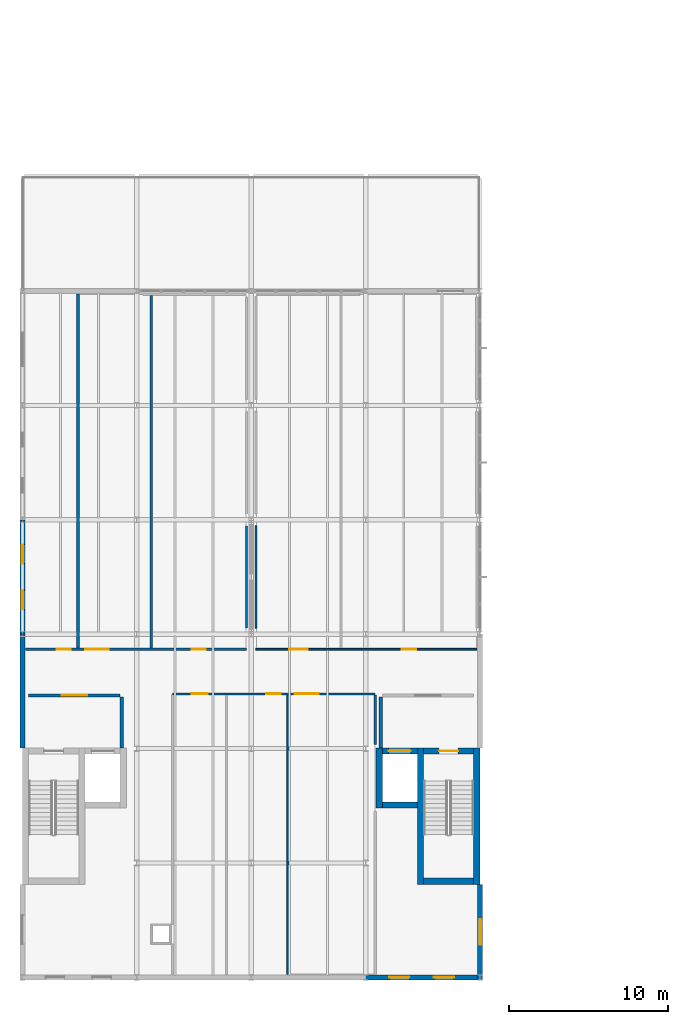
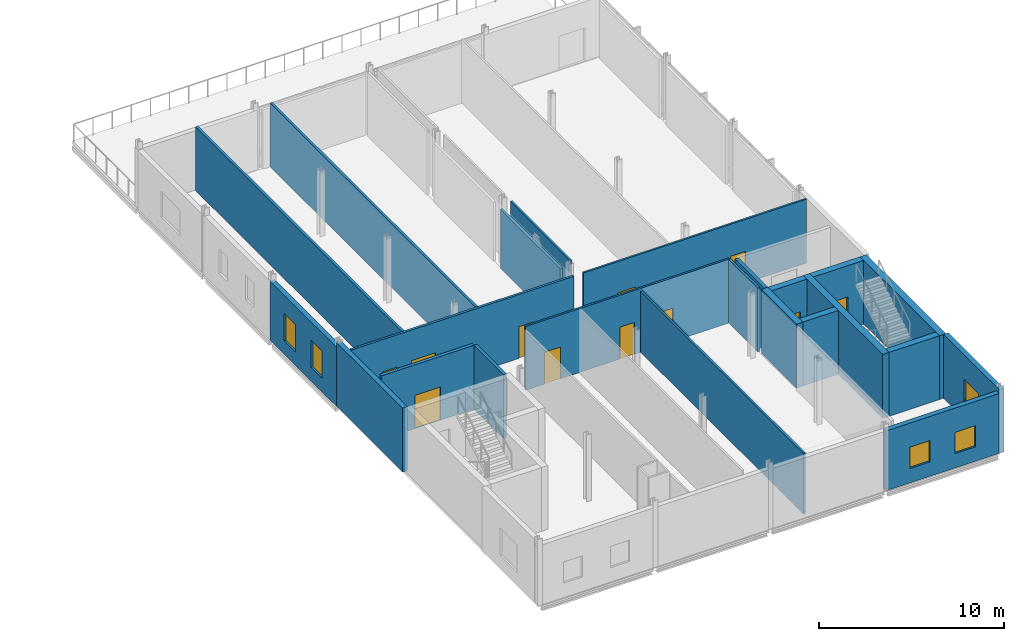
# One storey, part 14 of 21: 23 walls, 11 doors, 5 windows, 16 openings.
"""IFC4 building model written with IfcOpenShell, lengths in metres."""

from ifc_helpers import new_model, si_unit, direction, frame, frame_2d, origin, place, context, subcontext, project, spatial, rectangle, extrude, material, layer, layer_set, type_object, element, fill, save


model = new_model("IFC4")

# Units and contexts
model_context = context("Model", 3, precision=1e-05, world=origin(), true_north=direction((0.0, 1.0)))
body_context = subcontext(model_context, "Body", "Model", "MODEL_VIEW")
ifc_project = project(units=[si_unit("LENGTHUNIT", "METRE"), si_unit("AREAUNIT", "SQUARE_METRE"), si_unit("VOLUMEUNIT", "CUBIC_METRE"), si_unit("PLANEANGLEUNIT", "RADIAN"), si_unit("MASSUNIT", "GRAM", prefix="KILO")], contexts=[model_context])

# Site, building, storey
site_placement = place(None, origin())
site = spatial("IfcSite", under=ifc_project, at=site_placement, CompositionType="ELEMENT")
building_placement = place(site_placement, origin())
building = spatial("IfcBuilding", under=site, at=building_placement, Name="Zarrinpeak Specialist Clinic", CompositionType="ELEMENT")
storey_placement = place(building_placement, frame((0.0, 0.0, 22.800048828125)))
storey = spatial("IfcBuildingStorey", under=building, at=storey_placement, Name="L05", CompositionType="ELEMENT", Elevation=22.800048828125)

# Wall
ifc_material_1 = material(Name="Concrete C40/50", Category="concrete")
ifc_layer_1 = layer(ifc_material_1, 0.39990234375)
ifc_layer_set_1 = layer_set([ifc_layer_1], Name="Concrete C40/50")
wall_type_1 = type_object("IfcWallType", Name="WL-CR400", PredefinedType="SHEAR", material=ifc_layer_set_1)
wall_1_placement = place(storey_placement, frame((25.25, 6.050048828125, 0.0), z_axis=(0.0, 0.0, 1.0), x_axis=(1.0, 0.0, 0.0)))
element("IfcWall", 1, at=wall_1_placement, inside=storey, type_object=wall_type_1, Name="L05 Core C02 Shear Wall STS", PredefinedType="SHEAR", context=body_context, shape_type="SweptSolid", body=[
    extrude(rectangle(XDim=3.14990234375, YDim=0.39990234375, at=frame_2d((1.574951171875, 0.0))), origin(), (0.0, 0.0, 1.0), 4.21484375),
])

# Wall, opening, door
wall_2_placement = place(storey_placement, frame((25.25, 14.25, 0.0), z_axis=(0.0, 0.0, 1.0), x_axis=(1.0, 0.0, 0.0)))
wall_2 = element("IfcWall", 2, at=wall_2_placement, inside=storey, type_object=wall_type_1, Name="L05 Core C02 Shear Wall STN", PredefinedType="SHEAR", context=body_context, shape_type="SweptSolid", body=[
    extrude(rectangle(XDim=3.14990234375, YDim=0.39990234375, at=frame_2d((1.574951171875, 0.0))), origin(), (0.0, 0.0, 1.0), 4.21484375),
])
opening_1_placement = place(wall_2_placement, frame((0.97509765625, 0.0, 0.0)))
opening_1 = element("IfcOpeningElement", 3, at=opening_1_placement, cuts=wall_2, Name="Opening D-S01", PredefinedType="OPENING", context=body_context, shape_type="SweptSolid", body=[
    extrude(rectangle(XDim=1.199951171875, YDim=2.14990234375, at=frame_2d((0.60009765625, 1.074951171875))), frame((0.0, 0.2099609375, 0.0), z_axis=(0.0, -1.0, 0.0), x_axis=(1.0, 0.0, 0.0)), (0.0, 0.0, 1.0), 0.419921875),
])
ifc_material_2 = material(Name="Powder-Coated Galvanised Steel", Category="steel")
door_type_1 = type_object("IfcDoorType", Name="DR-FD120", OperationType="SINGLE_SWING_LEFT", PredefinedType="DOOR", material=ifc_material_2)
door_1_placement = place(opening_1_placement, frame((1.199951171875, 0.0, 0.0), z_axis=(0.0, 0.0, 1.0), x_axis=(-1.0, 0.0, 0.0)))
door_1 = element("IfcDoor", 4, at=door_1_placement, inside=storey, type_object=door_type_1, Name="L05 Protected Stair ST-02 Fire Door", OperationType="SINGLE_SWING_LEFT", OverallHeight=2.14990234375, OverallWidth=1.199951171875, PredefinedType="DOOR", context=body_context, shape_type="SweptSolid", body=[
    extrude(rectangle(XDim=1.199951171875, YDim=2.14990234375, at=frame_2d((0.60009765625, 1.074951171875))), frame((0.0, 0.02490234375, 0.0), z_axis=(0.0, -1.0, 0.0), x_axis=(1.0, 0.0, 0.0)), (0.0, 0.0, 1.0), 0.050048828125),
])
fill(opening_1, door_1)

# Walls
for number, where, z_axis, x_axis, name in (
    (5, (25.050048828125, 5.85009765625, 0.0), (0.0, 0.0, 1.0), (0.0, 1.0, 0.0), "L05 Core C02 Shear Wall STW"),
    (6, (28.60009765625, 5.85009765625, 0.0), (0.0, 0.0, 1.0), (0.0, 1.0, 0.0), "L05 Core C02 Shear Wall STE"),
):
    element("IfcWall", number, at=place(storey_placement, frame(where, z_axis=z_axis, x_axis=x_axis)), inside=storey, type_object=wall_type_1, Name=name, PredefinedType="SHEAR", context=body_context, shape_type="SweptSolid", body=[
        extrude(rectangle(XDim=8.599853515625, YDim=0.39990234375, at=frame_2d((4.2998046875, 0.0))), origin(), (0.0, 0.0, 1.0), 4.21484375),
    ])
wall_3_placement = place(storey_placement, frame((22.64990234375, 10.85009765625, 0.0), z_axis=(0.0, 0.0, 1.0), x_axis=(1.0, 0.0, 0.0)))
element("IfcWall", 7, at=wall_3_placement, inside=storey, type_object=wall_type_1, Name="L05 Lift LF-FF2 Shaft Wall LFS", PredefinedType="SHEAR", context=body_context, shape_type="SweptSolid", body=[
    extrude(rectangle(XDim=2.2001953125, YDim=0.39990234375, at=frame_2d((1.10009765625, 0.0))), origin(), (0.0, 0.0, 1.0), 4.21484375),
])

# Wall, opening, door
wall_4_placement = place(storey_placement, frame((22.64990234375, 14.25, 0.0), z_axis=(0.0, 0.0, 1.0), x_axis=(1.0, 0.0, 0.0)))
wall_4 = element("IfcWall", 8, at=wall_4_placement, inside=storey, type_object=wall_type_1, Name="L05 Lift LF-FF2 Shaft Wall LFN", PredefinedType="SHEAR", context=body_context, shape_type="SweptSolid", body=[
    extrude(rectangle(XDim=2.2001953125, YDim=0.39990234375, at=frame_2d((1.10009765625, 0.0))), origin(), (0.0, 0.0, 1.0), 4.21484375),
])
opening_2_placement = place(wall_4_placement, frame((0.39990234375, 0.0, 0.0)))
opening_2 = element("IfcOpeningElement", 9, at=opening_2_placement, cuts=wall_4, Name="Opening LD-01", PredefinedType="OPENING", context=body_context, shape_type="SweptSolid", body=[
    extrude(rectangle(XDim=1.39990234375, YDim=2.199951171875, at=frame_2d((0.699951171875, 1.10009765625))), frame((0.0, 0.2099609375, 0.0), z_axis=(0.0, -1.0, 0.0), x_axis=(1.0, 0.0, 0.0)), (0.0, 0.0, 1.0), 0.419921875),
])
door_type_2 = type_object("IfcDoorType", Name="DR-LD140", OperationType="SLIDING_TO_LEFT", PredefinedType="DOOR", material=ifc_material_2)
door_2_placement = place(opening_2_placement, origin())
door_2 = element("IfcDoor", 10, at=door_2_placement, inside=storey, type_object=door_type_2, Name="L05 Lift LF-FF2 Sliding Landing Door", OperationType="SLIDING_TO_LEFT", OverallHeight=2.199951171875, OverallWidth=1.39990234375, PredefinedType="DOOR", context=body_context, shape_type="SweptSolid", body=[
    extrude(rectangle(XDim=1.39990234375, YDim=2.199951171875, at=frame_2d((0.699951171875, 1.10009765625))), frame((0.0, 0.02490234375, 0.0), z_axis=(0.0, -1.0, 0.0), x_axis=(1.0, 0.0, 0.0)), (0.0, 0.0, 1.0), 0.050048828125),
])
fill(opening_2, door_2)

# Wall
wall_5_placement = place(storey_placement, frame((22.449951171875, 10.64990234375, 0.0), z_axis=(0.0, 0.0, 1.0), x_axis=(0.0, 1.0, 0.0)))
element("IfcWall", 11, at=wall_5_placement, inside=storey, type_object=wall_type_1, Name="L05 Lift LF-FF2 Shaft Wall LFW", PredefinedType="SHEAR", context=body_context, shape_type="SweptSolid", body=[
    extrude(rectangle(XDim=3.800048828125, YDim=0.39990234375, at=frame_2d((1.89990234375, 0.0))), origin(), (0.0, 0.0, 1.0), 4.21484375),
])

# Wall, openings, windows
ifc_material_3 = material(Name="Precast concrete C40/50", Category="concrete")
ifc_layer_2 = layer(ifc_material_3, 0.300048828125)
ifc_layer_set_2 = layer_set([ifc_layer_2], Name="Precast concrete C40/50")
wall_type_2 = type_object("IfcWallType", Name="WL-EW300", PredefinedType="STANDARD", material=ifc_layer_set_2)
wall_6_placement = place(storey_placement, frame((21.60009765625, 0.0, 0.0), z_axis=(0.0, 0.0, 1.0), x_axis=(1.0, 0.0, 0.0)))
wall_6 = element("IfcWall", 12, at=wall_6_placement, inside=storey, type_object=wall_type_2, Name="L05 V1 Exterior GRC Wall EW-L05-V1-0074", PredefinedType="STANDARD", context=body_context, shape_type="SweptSolid", body=[
    extrude(rectangle(XDim=7.0498046875, YDim=0.300048828125, at=frame_2d((3.52490234375, 0.0))), origin(), (0.0, 0.0, 1.0), 3.949951171875),
])
opening_3_placement = place(wall_6_placement, frame((1.48095703125, 0.0, 0.949951171875)))
opening_3 = element("IfcOpeningElement", 13, at=opening_3_placement, cuts=wall_6, Name="Opening WS-65", PredefinedType="OPENING", context=body_context, shape_type="SweptSolid", body=[
    extrude(rectangle(XDim=1.26806640625, YDim=1.404052734375, at=frame_2d((0.634033203125, 0.7021484375))), frame((0.0, 0.16015625, 0.0), z_axis=(0.0, -1.0, 0.0), x_axis=(1.0, 0.0, 0.0)), (0.0, 0.0, 1.0), 0.320068359375),
])
opening_4_placement = place(wall_6_placement, frame((4.301025390625, 0.0, 0.949951171875)))
opening_4 = element("IfcOpeningElement", 14, at=opening_4_placement, cuts=wall_6, Name="Opening WS-65", PredefinedType="OPENING", context=body_context, shape_type="SweptSolid", body=[
    extrude(rectangle(XDim=1.26806640625, YDim=1.404052734375, at=frame_2d((0.634033203125, 0.7021484375))), frame((0.0, 0.16015625, 0.0), z_axis=(0.0, -1.0, 0.0), x_axis=(1.0, 0.0, 0.0)), (0.0, 0.0, 1.0), 0.320068359375),
])
ifc_material_4 = material(Name="Thermally Broken Aluminium and Low-E Glazing", Category="aluminium")
window_type_1 = type_object("IfcWindowType", Name="WN-SP65", PartitioningType="SINGLE_PANEL", PredefinedType="WINDOW", material=ifc_material_4)
window_1_placement = place(opening_3_placement, origin())
window_1 = element("IfcWindow", 15, at=window_1_placement, inside=storey, type_object=window_type_1, Name="L05 Modular Facade Window WN-L05-0112", OverallHeight=1.404052734375, OverallWidth=1.26806640625, PartitioningType="SINGLE_PANEL", PredefinedType="WINDOW", context=body_context, shape_type="SweptSolid", body=[
    extrude(rectangle(XDim=1.26806640625, YDim=1.404052734375, at=frame_2d((0.634033203125, 0.7021484375))), frame((0.0, 0.030029296875, 0.0), z_axis=(0.0, -1.0, 0.0), x_axis=(1.0, 0.0, 0.0)), (0.0, 0.0, 1.0), 0.06005859375),
])
fill(opening_3, window_1)
window_2_placement = place(opening_4_placement, origin())
window_2 = element("IfcWindow", 16, at=window_2_placement, inside=storey, type_object=window_type_1, Name="L05 Modular Facade Window WN-L05-0113", OverallHeight=1.404052734375, OverallWidth=1.26806640625, PartitioningType="SINGLE_PANEL", PredefinedType="WINDOW", context=body_context, shape_type="SweptSolid", body=[
    extrude(rectangle(XDim=1.26806640625, YDim=1.404052734375, at=frame_2d((0.634033203125, 0.7021484375))), frame((0.0, 0.030029296875, 0.0), z_axis=(0.0, -1.0, 0.0), x_axis=(1.0, 0.0, 0.0)), (0.0, 0.0, 1.0), 0.06005859375),
])
fill(opening_4, window_2)

# Wall
wall_7_placement = place(storey_placement, frame((0.0, 21.60009765625, 0.0), z_axis=(0.0, 0.0, 1.0), x_axis=(0.0, -1.0, 0.0)))
element("IfcWall", 17, at=wall_7_placement, inside=storey, type_object=wall_type_2, Name="L05 V1 Exterior GRC Wall EW-L05-V1-0078", PredefinedType="STANDARD", context=body_context, shape_type="SweptSolid", body=[
    extrude(rectangle(XDim=7.150146484375, YDim=0.300048828125, at=frame_2d((3.5751953125, 0.0))), origin(), (0.0, 0.0, 1.0), 4.21484375),
])

# Wall, openings, windows
wall_8_placement = place(storey_placement, frame((0.0, 28.800048828125, 0.0), z_axis=(0.0, 0.0, 1.0), x_axis=(0.0, -1.0, 0.0)))
wall_8 = element("IfcWall", 18, at=wall_8_placement, inside=storey, type_object=wall_type_2, Name="L05 V1 Exterior GRC Wall EW-L05-V1-0079", PredefinedType="STANDARD", context=body_context, shape_type="SweptSolid", body=[
    extrude(rectangle(XDim=7.199951171875, YDim=0.300048828125, at=frame_2d((3.60009765625, 0.0))), origin(), (0.0, 0.0, 1.0), 3.89990234375),
])
opening_5_placement = place(wall_8_placement, frame((1.56005859375, 0.0, 0.89990234375)))
opening_5 = element("IfcOpeningElement", 19, at=opening_5_placement, cuts=wall_8, Name="Opening W-03", PredefinedType="OPENING", context=body_context, shape_type="SweptSolid", body=[
    extrude(rectangle(XDim=1.199951171875, YDim=1.800048828125, at=frame_2d((0.60009765625, 0.89990234375))), frame((0.0, 0.16015625, 0.0), z_axis=(0.0, -1.0, 0.0), x_axis=(1.0, 0.0, 0.0)), (0.0, 0.0, 1.0), 0.320068359375),
])
opening_6_placement = place(wall_8_placement, frame((4.43994140625, 0.0, 0.89990234375)))
opening_6 = element("IfcOpeningElement", 20, at=opening_6_placement, cuts=wall_8, Name="Opening W-03", PredefinedType="OPENING", context=body_context, shape_type="SweptSolid", body=[
    extrude(rectangle(XDim=1.199951171875, YDim=1.800048828125, at=frame_2d((0.60009765625, 0.89990234375))), frame((0.0, 0.16015625, 0.0), z_axis=(0.0, -1.0, 0.0), x_axis=(1.0, 0.0, 0.0)), (0.0, 0.0, 1.0), 0.320068359375),
])
window_type_2 = type_object("IfcWindowType", Name="WN-CL120", PartitioningType="SINGLE_PANEL", PredefinedType="WINDOW", material=ifc_material_4)
window_3_placement = place(opening_5_placement, origin())
window_3 = element("IfcWindow", 21, at=window_3_placement, inside=storey, type_object=window_type_2, Name="L05 Modular Facade Window WN-L05-0115", OverallHeight=1.800048828125, OverallWidth=1.199951171875, PartitioningType="SINGLE_PANEL", PredefinedType="WINDOW", context=body_context, shape_type="SweptSolid", body=[
    extrude(rectangle(XDim=1.199951171875, YDim=1.800048828125, at=frame_2d((0.60009765625, 0.89990234375))), frame((0.0, 0.030029296875, 0.0), z_axis=(0.0, -1.0, 0.0), x_axis=(1.0, 0.0, 0.0)), (0.0, 0.0, 1.0), 0.06005859375),
])
fill(opening_5, window_3)
window_4_placement = place(opening_6_placement, origin())
window_4 = element("IfcWindow", 22, at=window_4_placement, inside=storey, type_object=window_type_2, Name="L05 Modular Facade Window WN-L05-0116", OverallHeight=1.800048828125, OverallWidth=1.199951171875, PartitioningType="SINGLE_PANEL", PredefinedType="WINDOW", context=body_context, shape_type="SweptSolid", body=[
    extrude(rectangle(XDim=1.199951171875, YDim=1.800048828125, at=frame_2d((0.60009765625, 0.89990234375))), frame((0.0, 0.030029296875, 0.0), z_axis=(0.0, -1.0, 0.0), x_axis=(1.0, 0.0, 0.0)), (0.0, 0.0, 1.0), 0.06005859375),
])
fill(opening_6, window_4)

# Wall, opening, window
wall_9_placement = place(storey_placement, frame((28.800048828125, -0.14990234375, 0.0), z_axis=(0.0, 0.0, 1.0), x_axis=(0.0, 1.0, 0.0)))
wall_9 = element("IfcWall", 23, at=wall_9_placement, inside=storey, type_object=wall_type_2, Name="L05 V1 Exterior GRC Wall EW-L05-V1-0082", PredefinedType="STANDARD", context=body_context, shape_type="SweptSolid", body=[
    extrude(rectangle(XDim=6.0, YDim=0.300048828125, at=frame_2d((3.0, 0.0))), origin(), (0.0, 0.0, 1.0), 4.21484375),
])
opening_7_placement = place(wall_9_placement, frame((2.199951171875, 0.0, 1.199951171875)))
opening_7 = element("IfcOpeningElement", 24, at=opening_7_placement, cuts=wall_9, Name="Opening W-10", PredefinedType="OPENING", context=body_context, shape_type="SweptSolid", body=[
    extrude(rectangle(XDim=1.60009765625, YDim=1.39990234375, at=frame_2d((0.800048828125, 0.699951171875))), frame((0.0, 0.16015625, 0.0), z_axis=(0.0, -1.0, 0.0), x_axis=(1.0, 0.0, 0.0)), (0.0, 0.0, 1.0), 0.320068359375),
])
window_type_3 = type_object("IfcWindowType", Name="WN-NRS160", PartitioningType="SINGLE_PANEL", PredefinedType="WINDOW", material=ifc_material_4)
window_5_placement = place(opening_7_placement, origin())
window_5 = element("IfcWindow", 25, at=window_5_placement, inside=storey, type_object=window_type_3, Name="L05 Modular Facade Window WN-L05-0120", OverallHeight=1.39990234375, OverallWidth=1.60009765625, PartitioningType="SINGLE_PANEL", PredefinedType="WINDOW", context=body_context, shape_type="SweptSolid", body=[
    extrude(rectangle(XDim=1.60009765625, YDim=1.39990234375, at=frame_2d((0.800048828125, 0.699951171875))), frame((0.0, 0.030029296875, 0.0), z_axis=(0.0, -1.0, 0.0), x_axis=(1.0, 0.0, 0.0)), (0.0, 0.0, 1.0), 0.06005859375),
])
fill(opening_7, window_5)

# Wall, openings, doors
ifc_material_5 = material(Name="Cleanroom Flush Phenolic Partition", Category="gypsum")
ifc_layer_3 = layer(ifc_material_5, 0.117919921875)
ifc_layer_set_3 = layer_set([ifc_layer_3], Name="Cleanroom Flush Phenolic Partition")
wall_type_3 = type_object("IfcWallType", Name="WL-IW118", PredefinedType="PARTITIONING", material=ifc_layer_set_3)
wall_10_placement = place(storey_placement, frame((14.699951171875, 20.64990234375, 0.0), z_axis=(0.0, 0.0, 1.0), x_axis=(1.0, 0.0, 0.0)))
wall_10 = element("IfcWall", 26, at=wall_10_placement, inside=storey, type_object=wall_type_3, Name="L05 Allergy Immunology Patch Lab Partition", PredefinedType="PARTITIONING", context=body_context, shape_type="SweptSolid", body=[
    extrude(rectangle(XDim=13.900146484375, YDim=0.117919921875, at=frame_2d((6.9501953125, 0.0))), origin(), (0.0, 0.0, 1.0), 4.21484375),
])
opening_8_placement = place(wall_10_placement, frame((2.10009765625, 0.0, 0.0)))
opening_8 = element("IfcOpeningElement", 27, at=opening_8_placement, cuts=wall_10, Name="Opening D-LB1", PredefinedType="OPENING", context=body_context, shape_type="SweptSolid", body=[
    extrude(rectangle(XDim=1.14990234375, YDim=2.14990234375, at=frame_2d((0.574951171875, 1.074951171875))), frame((0.0, 0.06884765625, 0.0), z_axis=(0.0, -1.0, 0.0), x_axis=(1.0, 0.0, 0.0)), (0.0, 0.0, 1.0), 0.137939453125),
])
opening_9_placement = place(wall_10_placement, frame((9.158935546875, 0.0, 0.0)))
opening_9 = element("IfcOpeningElement", 28, at=opening_9_placement, cuts=wall_10, Name="Opening DS-29", PredefinedType="OPENING", context=body_context, shape_type="SweptSolid", body=[
    extrude(rectangle(XDim=0.931884765625, YDim=2.095947265625, at=frame_2d((0.4658203125, 1.0478515625))), frame((0.0, 0.06884765625, 0.0), z_axis=(0.0, -1.0, 0.0), x_axis=(1.0, 0.0, 0.0)), (0.0, 0.0, 1.0), 0.137939453125),
])
door_type_3 = type_object("IfcDoorType", Name="DR-LAB115", OperationType="SINGLE_SWING_LEFT", PredefinedType="DOOR", material=ifc_material_2)
door_3_placement = place(opening_8_placement, frame((1.14990234375, 0.0, 0.0), z_axis=(0.0, 0.0, 1.0), x_axis=(-1.0, 0.0, 0.0)))
door_3 = element("IfcDoor", 29, at=door_3_placement, inside=storey, type_object=door_type_3, Name="L05 Allergy Immunology Patch Lab Door", OperationType="SINGLE_SWING_LEFT", OverallHeight=2.14990234375, OverallWidth=1.14990234375, PredefinedType="DOOR", context=body_context, shape_type="SweptSolid", body=[
    extrude(rectangle(XDim=1.14990234375, YDim=2.14990234375, at=frame_2d((0.574951171875, 1.074951171875))), frame((0.0, 0.02490234375, 0.0), z_axis=(0.0, -1.0, 0.0), x_axis=(1.0, 0.0, 0.0)), (0.0, 0.0, 1.0), 0.050048828125),
])
fill(opening_8, door_3)
door_type_4 = type_object("IfcDoorType", Name="DR-SP29", OperationType="SINGLE_SWING_RIGHT", PredefinedType="DOOR", material=ifc_material_2)
door_4_placement = place(opening_9_placement, frame((0.931884765625, 0.0, 0.0), z_axis=(0.0, 0.0, 1.0), x_axis=(-1.0, 0.0, 0.0)))
door_4 = element("IfcDoor", 30, at=door_4_placement, inside=storey, type_object=door_type_4, Name="L05 Specialist Consultation Room 2 Door", OperationType="SINGLE_SWING_RIGHT", OverallHeight=2.095947265625, OverallWidth=0.931884765625, PredefinedType="DOOR", context=body_context, shape_type="SweptSolid", body=[
    extrude(rectangle(XDim=0.931884765625, YDim=2.095947265625, at=frame_2d((0.4658203125, 1.0478515625))), frame((0.0, 0.02490234375, 0.0), z_axis=(0.0, -1.0, 0.0), x_axis=(1.0, 0.0, 0.0)), (0.0, 0.0, 1.0), 0.050048828125),
])
fill(opening_9, door_4)

# Wall
wall_11_placement = place(storey_placement, frame((14.699951171875, 21.97998046875, 0.0), z_axis=(0.0, 0.0, 1.0), x_axis=(0.0, 1.0, 0.0)))
element("IfcWall", 31, at=wall_11_placement, inside=storey, type_object=wall_type_3, Name="L05 Allergy Immunology Patch Lab Dividing Partition", PredefinedType="PARTITIONING", context=body_context, shape_type="SweptSolid", body=[
    extrude(rectangle(XDim=6.43994140625, YDim=0.117919921875, at=frame_2d((3.219970703125, 0.0))), origin(), (0.0, 0.0, 1.0), 4.21484375),
])

# Wall, openings, doors
ifc_material_6 = material(Name="Moisture-Resistant Wet-Room Partition", Category="gypsum")
ifc_layer_4 = layer(ifc_material_6, 0.125)
ifc_layer_set_4 = layer_set([ifc_layer_4], Name="Moisture-Resistant Wet-Room Partition")
wall_type_4 = type_object("IfcWallType", Name="WL-IW125W", PredefinedType="PARTITIONING", material=ifc_layer_set_4)
wall_12_placement = place(storey_placement, frame((9.449951171875, 17.85009765625, 0.0), z_axis=(0.0, 0.0, 1.0), x_axis=(1.0, 0.0, 0.0)))
wall_12 = element("IfcWall", 32, at=wall_12_placement, inside=storey, type_object=wall_type_4, Name="L05 Accessible Patient WC Partition", PredefinedType="PARTITIONING", context=body_context, shape_type="SweptSolid", body=[
    extrude(rectangle(XDim=12.75, YDim=0.125, at=frame_2d((6.375, 0.0))), origin(), (0.0, 0.0, 1.0), 4.21484375),
])
opening_10_placement = place(wall_12_placement, frame((1.199951171875, 0.0, 0.0)))
opening_10 = element("IfcOpeningElement", 33, at=opening_10_placement, cuts=wall_12, Name="Opening D-W02", PredefinedType="OPENING", context=body_context, shape_type="SweptSolid", body=[
    extrude(rectangle(XDim=1.0, YDim=2.10009765625, at=frame_2d((0.5, 1.050048828125))), frame((0.0, 0.072509765625, 0.0), z_axis=(0.0, -1.0, 0.0), x_axis=(1.0, 0.0, 0.0)), (0.0, 0.0, 1.0), 0.14501953125),
])
opening_11_placement = place(wall_12_placement, frame((5.89990234375, 0.0, 0.0)))
opening_11 = element("IfcOpeningElement", 34, at=opening_11_placement, cuts=wall_12, Name="Opening D-W01", PredefinedType="OPENING", context=body_context, shape_type="SweptSolid", body=[
    extrude(rectangle(XDim=0.89990234375, YDim=2.10009765625, at=frame_2d((0.449951171875, 1.050048828125))), frame((0.0, 0.072509765625, 0.0), z_axis=(0.0, -1.0, 0.0), x_axis=(1.0, 0.0, 0.0)), (0.0, 0.0, 1.0), 0.14501953125),
])
opening_12_placement = place(wall_12_placement, frame((7.699951171875, 0.0, 0.0)))
opening_12 = element("IfcOpeningElement", 35, at=opening_12_placement, cuts=wall_12, Name="Opening D-B01", PredefinedType="OPENING", context=body_context, shape_type="SweptSolid", body=[
    extrude(rectangle(XDim=1.5, YDim=2.199951171875, at=frame_2d((0.75, 1.10009765625))), frame((0.0, 0.072509765625, 0.0), z_axis=(0.0, -1.0, 0.0), x_axis=(1.0, 0.0, 0.0)), (0.0, 0.0, 1.0), 0.14501953125),
])
door_type_5 = type_object("IfcDoorType", Name="DR-AWC100", OperationType="SLIDING_TO_LEFT", PredefinedType="DOOR", material=ifc_material_2)
door_5_placement = place(opening_10_placement, origin())
door_5 = element("IfcDoor", 36, at=door_5_placement, inside=storey, type_object=door_type_5, Name="L05 Accessible Patient WC Door", OperationType="SLIDING_TO_LEFT", OverallHeight=2.10009765625, OverallWidth=1.0, PredefinedType="DOOR", context=body_context, shape_type="SweptSolid", body=[
    extrude(rectangle(XDim=1.0, YDim=2.10009765625, at=frame_2d((0.5, 1.050048828125))), frame((0.0, 0.02490234375, 0.0), z_axis=(0.0, -1.0, 0.0), x_axis=(1.0, 0.0, 0.0)), (0.0, 0.0, 1.0), 0.050048828125),
])
fill(opening_10, door_5)
door_type_6 = type_object("IfcDoorType", Name="DR-BED150", OperationType="DOUBLE_DOOR_SINGLE_SWING", PredefinedType="DOOR", material=ifc_material_2)
door_6_placement = place(opening_12_placement, origin())
door_6 = element("IfcDoor", 37, at=door_6_placement, inside=storey, type_object=door_type_6, Name="L05 Dermatology Phototherapy Room Door", OperationType="DOUBLE_DOOR_SINGLE_SWING", OverallHeight=2.199951171875, OverallWidth=1.5, PredefinedType="DOOR", context=body_context, shape_type="SweptSolid", body=[
    extrude(rectangle(XDim=1.5, YDim=2.199951171875, at=frame_2d((0.75, 1.10009765625))), frame((0.0, 0.02490234375, 0.0), z_axis=(0.0, -1.0, 0.0), x_axis=(1.0, 0.0, 0.0)), (0.0, 0.0, 1.0), 0.050048828125),
])
fill(opening_12, door_6)
door_type_7 = type_object("IfcDoorType", Name="DR-WC90", OperationType="SINGLE_SWING_RIGHT", PredefinedType="DOOR", material=ifc_material_2)
door_7_placement = place(opening_11_placement, origin())
door_7 = element("IfcDoor", 38, at=door_7_placement, inside=storey, type_object=door_type_7, Name="L05 Visitor WC Door", OperationType="SINGLE_SWING_RIGHT", OverallHeight=2.10009765625, OverallWidth=0.89990234375, PredefinedType="DOOR", context=body_context, shape_type="SweptSolid", body=[
    extrude(rectangle(XDim=0.89990234375, YDim=2.10009765625, at=frame_2d((0.449951171875, 1.050048828125))), frame((0.0, 0.02490234375, 0.0), z_axis=(0.0, -1.0, 0.0), x_axis=(1.0, 0.0, 0.0)), (0.0, 0.0, 1.0), 0.050048828125),
])
fill(opening_11, door_7)

# Walls
wall_13_placement = place(storey_placement, frame((16.699951171875, 0.199951171875, 0.0), z_axis=(0.0, 0.0, 1.0), x_axis=(0.0, 1.0, 0.0)))
element("IfcWall", 39, at=wall_13_placement, inside=storey, type_object=wall_type_4, Name="L05 Visitor WC Dividing Partition", PredefinedType="PARTITIONING", context=body_context, shape_type="SweptSolid", body=[
    extrude(rectangle(XDim=17.587646484375, YDim=0.125, at=frame_2d((8.7939453125, 0.0))), origin(), (0.0, 0.0, 1.0), 4.0),
])
ifc_material_7 = material(Name="Acoustic Consultation Stud Partition", Category="gypsum")
ifc_layer_5 = layer(ifc_material_7, 0.14208984375)
ifc_layer_set_5 = layer_set([ifc_layer_5], Name="Acoustic Consultation Stud Partition")
wall_type_5 = type_object("IfcWallType", Name="WL-IW142", PredefinedType="PARTITIONING", material=ifc_layer_set_5)
wall_14_placement = place(storey_placement, frame((22.199951171875, 14.64990234375, 0.0), z_axis=(0.0, 0.0, 1.0), x_axis=(0.0, 1.0, 0.0)))
element("IfcWall", 40, at=wall_14_placement, inside=storey, type_object=wall_type_5, Name="L05 Dermatology Phototherapy Room Dividing Partition", PredefinedType="PARTITIONING", context=body_context, shape_type="SweptSolid", body=[
    extrude(rectangle(XDim=3.1376953125, YDim=0.14208984375, at=frame_2d((1.56884765625, 0.0))), origin(), (0.0, 0.0, 1.0), 4.21484375),
])

# Wall, openings, doors
ifc_material_8 = material(Name="Insulated Clinical Gypsum Stud Partition", Category="gypsum")
ifc_layer_6 = layer(ifc_material_8, 0.14990234375)
ifc_layer_set_6 = layer_set([ifc_layer_6], Name="Insulated Clinical Gypsum Stud Partition")
wall_type_6 = type_object("IfcWallType", Name="WL-IW150", PredefinedType="PARTITIONING", material=ifc_layer_set_6)
wall_15_placement = place(storey_placement, frame((0.199951171875, 20.64990234375, 0.0), z_axis=(0.0, 0.0, 1.0), x_axis=(1.0, 0.0, 0.0)))
wall_15 = element("IfcWall", 41, at=wall_15_placement, inside=storey, type_object=wall_type_6, Name="L05 Specialist Telemedicine Hub Partition", PredefinedType="PARTITIONING", context=body_context, shape_type="SweptSolid", body=[
    extrude(rectangle(XDim=13.900146484375, YDim=0.14990234375, at=frame_2d((6.9501953125, 0.0))), origin(), (0.0, 0.0, 1.0), 4.21484375),
])
opening_13_placement = place(wall_15_placement, frame((1.969970703125, 0.0, 0.0)))
opening_13 = element("IfcOpeningElement", 42, at=opening_13_placement, cuts=wall_15, Name="Opening DS-27", PredefinedType="OPENING", context=body_context, shape_type="SweptSolid", body=[
    extrude(rectangle(XDim=0.8798828125, YDim=2.095947265625, at=frame_2d((0.43994140625, 1.0478515625))), frame((0.0, 0.0849609375, 0.0), z_axis=(0.0, -1.0, 0.0), x_axis=(1.0, 0.0, 0.0)), (0.0, 0.0, 1.0), 0.169921875),
])
opening_14_placement = place(wall_15_placement, frame((3.75, 0.0, 0.0)))
opening_14 = element("IfcOpeningElement", 43, at=opening_14_placement, cuts=wall_15, Name="Opening D-B01", PredefinedType="OPENING", context=body_context, shape_type="SweptSolid", body=[
    extrude(rectangle(XDim=1.5, YDim=2.199951171875, at=frame_2d((0.75, 1.10009765625))), frame((0.0, 0.0849609375, 0.0), z_axis=(0.0, -1.0, 0.0), x_axis=(1.0, 0.0, 0.0)), (0.0, 0.0, 1.0), 0.169921875),
])
opening_15_placement = place(wall_15_placement, frame((10.447021484375, 0.0, 0.0)))
opening_15 = element("IfcOpeningElement", 44, at=opening_15_placement, cuts=wall_15, Name="Opening DS-28", PredefinedType="OPENING", context=body_context, shape_type="SweptSolid", body=[
    extrude(rectangle(XDim=0.906005859375, YDim=2.095947265625, at=frame_2d((0.453125, 1.0478515625))), frame((0.0, 0.0849609375, 0.0), z_axis=(0.0, -1.0, 0.0), x_axis=(1.0, 0.0, 0.0)), (0.0, 0.0, 1.0), 0.169921875),
])
door_8_placement = place(opening_14_placement, frame((1.5, 0.0, 0.0), z_axis=(0.0, 0.0, 1.0), x_axis=(-1.0, 0.0, 0.0)))
door_8 = element("IfcDoor", 45, at=door_8_placement, inside=storey, type_object=door_type_6, Name="L05 Minor Dermatosurgery Suite Door", OperationType="DOUBLE_DOOR_SINGLE_SWING", OverallHeight=2.199951171875, OverallWidth=1.5, PredefinedType="DOOR", context=body_context, shape_type="SweptSolid", body=[
    extrude(rectangle(XDim=1.5, YDim=2.199951171875, at=frame_2d((0.75, 1.10009765625))), frame((0.0, 0.02490234375, 0.0), z_axis=(0.0, -1.0, 0.0), x_axis=(1.0, 0.0, 0.0)), (0.0, 0.0, 1.0), 0.050048828125),
])
fill(opening_14, door_8)
door_type_8 = type_object("IfcDoorType", Name="DR-SP27", OperationType="SINGLE_SWING_RIGHT", PredefinedType="DOOR", material=ifc_material_2)
door_9_placement = place(opening_13_placement, frame((0.8798828125, 0.0, 0.0), z_axis=(0.0, 0.0, 1.0), x_axis=(-1.0, 0.0, 0.0)))
door_9 = element("IfcDoor", 46, at=door_9_placement, inside=storey, type_object=door_type_8, Name="L05 Specialist Telemedicine Hub Door", OperationType="SINGLE_SWING_RIGHT", OverallHeight=2.095947265625, OverallWidth=0.8798828125, PredefinedType="DOOR", context=body_context, shape_type="SweptSolid", body=[
    extrude(rectangle(XDim=0.8798828125, YDim=2.095947265625, at=frame_2d((0.43994140625, 1.0478515625))), frame((0.0, 0.02490234375, 0.0), z_axis=(0.0, -1.0, 0.0), x_axis=(1.0, 0.0, 0.0)), (0.0, 0.0, 1.0), 0.050048828125),
])
fill(opening_13, door_9)
door_type_9 = type_object("IfcDoorType", Name="DR-SP28", OperationType="SINGLE_SWING_LEFT", PredefinedType="DOOR", material=ifc_material_2)
door_10_placement = place(opening_15_placement, frame((0.906005859375, 0.0, 0.0), z_axis=(0.0, 0.0, 1.0), x_axis=(-1.0, 0.0, 0.0)))
door_10 = element("IfcDoor", 47, at=door_10_placement, inside=storey, type_object=door_type_9, Name="L05 Specialist Consultation Room 1 Door", OperationType="SINGLE_SWING_LEFT", OverallHeight=2.095947265625, OverallWidth=0.906005859375, PredefinedType="DOOR", context=body_context, shape_type="SweptSolid", body=[
    extrude(rectangle(XDim=0.906005859375, YDim=2.095947265625, at=frame_2d((0.453125, 1.0478515625))), frame((0.0, 0.02490234375, 0.0), z_axis=(0.0, -1.0, 0.0), x_axis=(1.0, 0.0, 0.0)), (0.0, 0.0, 1.0), 0.050048828125),
])
fill(opening_15, door_10)

# Walls
wall_16_placement = place(storey_placement, frame((8.10009765625, 20.72509765625, 0.0), z_axis=(0.0, 0.0, 1.0), x_axis=(0.0, 1.0, 0.0)))
element("IfcWall", 48, at=wall_16_placement, inside=storey, type_object=wall_type_6, Name="L05 Minor Dermatosurgery Suite Dividing Partition", PredefinedType="PARTITIONING", context=body_context, shape_type="SweptSolid", body=[
    extrude(rectangle(XDim=22.19482421875, YDim=0.14990234375, at=frame_2d((11.097412109375, 0.0))), origin(), (0.0, 0.0, 1.0), 4.21484375),
])
wall_17_placement = place(storey_placement, frame((14.10009765625, 21.97998046875, 0.0), z_axis=(0.0, 0.0, 1.0), x_axis=(0.0, 1.0, 0.0)))
element("IfcWall", 49, at=wall_17_placement, inside=storey, type_object=wall_type_6, Name="L05 Specialist Consultation Room 1 Dividing Partition", PredefinedType="PARTITIONING", context=body_context, shape_type="SweptSolid", body=[
    extrude(rectangle(XDim=6.43994140625, YDim=0.14990234375, at=frame_2d((3.219970703125, 0.0))), origin(), (0.0, 0.0, 1.0), 3.909912109375),
])
ifc_material_9 = material(Name="Acoustic Double Gypsum Stud Partition", Category="gypsum")
ifc_layer_7 = layer(ifc_material_9, 0.159912109375)
ifc_layer_set_7 = layer_set([ifc_layer_7], Name="Acoustic Double Gypsum Stud Partition")
wall_type_7 = type_object("IfcWallType", Name="WL-IW160", PredefinedType="PARTITIONING", material=ifc_layer_set_7)
wall_18_placement = place(storey_placement, frame((3.5, 20.72509765625, 0.0), z_axis=(0.0, 0.0, 1.0), x_axis=(0.0, 1.0, 0.0)))
element("IfcWall", 50, at=wall_18_placement, inside=storey, type_object=wall_type_7, Name="L05 Specialist Telemedicine Hub Dividing Partition", PredefinedType="PARTITIONING", context=body_context, shape_type="SweptSolid", body=[
    extrude(rectangle(XDim=22.27490234375, YDim=0.159912109375, at=frame_2d((11.137451171875, 0.0))), origin(), (0.0, 0.0, 1.0), 4.21484375),
])

# Wall, opening, door
ifc_material_10 = material(Name="Autoclaved Aerated Concrete Blockwork", Category="masonry")
ifc_layer_8 = layer(ifc_material_10, 0.199951171875)
ifc_layer_set_8 = layer_set([ifc_layer_8], Name="Autoclaved Aerated Concrete Blockwork")
wall_type_8 = type_object("IfcWallType", Name="WL-IW200", PredefinedType="PARTITIONING", material=ifc_layer_set_8)
wall_19_placement = place(storey_placement, frame((0.39990234375, 17.75, 0.0), z_axis=(0.0, 0.0, 1.0), x_axis=(1.0, 0.0, 0.0)))
wall_19 = element("IfcWall", 51, at=wall_19_placement, inside=storey, type_object=wall_type_8, Name="L05 C01 Protected Lobby Partition LBF", PredefinedType="PARTITIONING", context=body_context, shape_type="SweptSolid", body=[
    extrude(rectangle(XDim=5.75, YDim=0.199951171875, at=frame_2d((2.875, 0.0))), origin(), (0.0, 0.0, 1.0), 4.21484375),
])
opening_16_placement = place(wall_19_placement, frame((2.074951171875, 0.0, 0.0)))
opening_16 = element("IfcOpeningElement", 52, at=opening_16_placement, cuts=wall_19, Name="Opening D-L01", PredefinedType="OPENING", context=body_context, shape_type="SweptSolid", body=[
    extrude(rectangle(XDim=1.60009765625, YDim=2.199951171875, at=frame_2d((0.800048828125, 1.10009765625))), frame((0.0, 0.10986328125, 0.0), z_axis=(0.0, -1.0, 0.0), x_axis=(1.0, 0.0, 0.0)), (0.0, 0.0, 1.0), 0.219970703125),
])
door_type_10 = type_object("IfcDoorType", Name="DR-LB160", OperationType="DOUBLE_DOOR_SINGLE_SWING", PredefinedType="DOOR", material=ifc_material_2)
door_11_placement = place(opening_16_placement, origin())
door_11 = element("IfcDoor", 53, at=door_11_placement, inside=storey, type_object=door_type_10, Name="L05 C01 Lobby Hold-Open Fire Door", OperationType="DOUBLE_DOOR_SINGLE_SWING", OverallHeight=2.199951171875, OverallWidth=1.60009765625, PredefinedType="DOOR", context=body_context, shape_type="SweptSolid", body=[
    extrude(rectangle(XDim=1.60009765625, YDim=2.199951171875, at=frame_2d((0.800048828125, 1.10009765625))), frame((0.0, 0.02490234375, 0.0), z_axis=(0.0, -1.0, 0.0), x_axis=(1.0, 0.0, 0.0)), (0.0, 0.0, 1.0), 0.050048828125),
])
fill(opening_16, door_11)

# Walls
for number, where, z_axis, x_axis, name in (
    (54, (6.25, 14.449951171875, 0.0), (0.0, 0.0, 1.0), (0.0, 1.0, 0.0), "L05 C01 Protected Lobby Partition LBE"),
    (55, (22.550048828125, 14.449951171875, 0.0), (0.0, 0.0, 1.0), (0.0, 1.0, 0.0), "L05 C02 Protected Lobby Partition LBW"),
):
    element("IfcWall", number, at=place(storey_placement, frame(where, z_axis=z_axis, x_axis=x_axis)), inside=storey, type_object=wall_type_8, Name=name, PredefinedType="PARTITIONING", context=body_context, shape_type="SweptSolid", body=[
        extrude(rectangle(XDim=3.199951171875, YDim=0.199951171875, at=frame_2d((1.60009765625, 0.0))), origin(), (0.0, 0.0, 1.0), 4.21484375),
    ])

save(model, "model.ifc")
